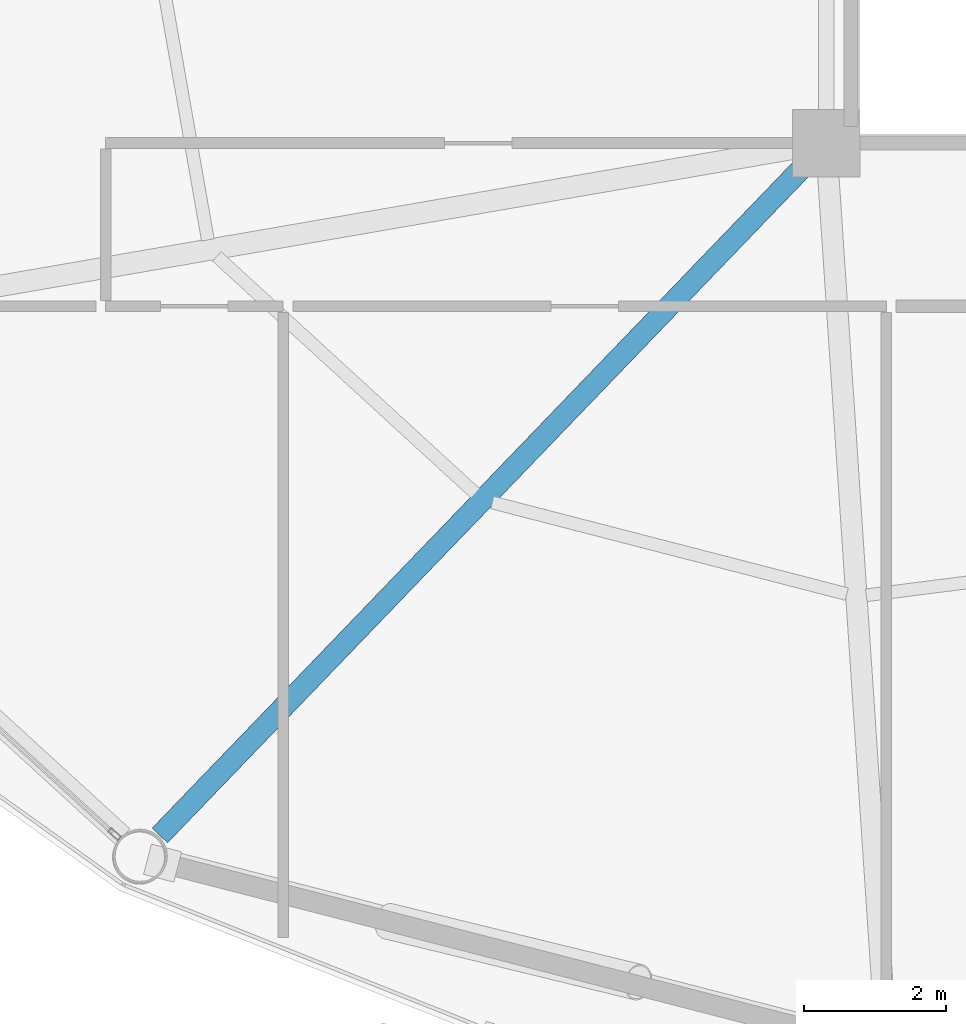
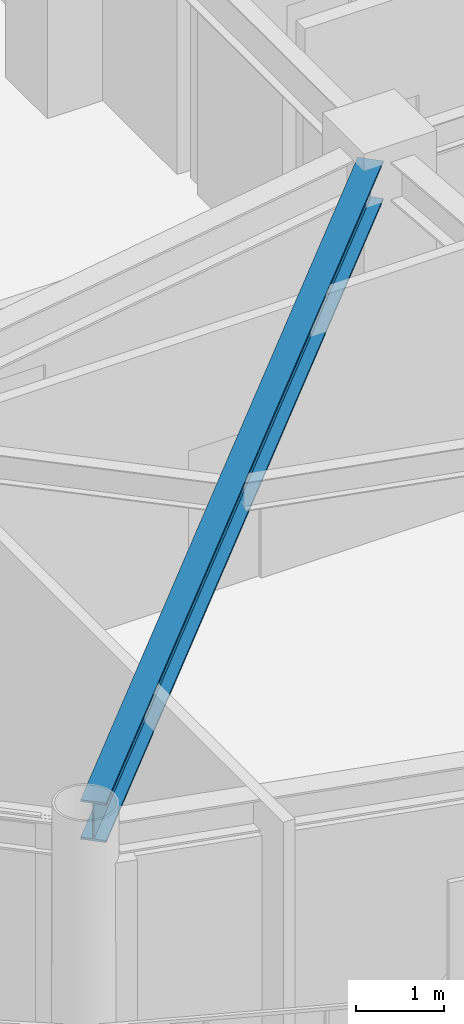
# One storey, part 3 of 25: 1 beam.
"""IFC4 building model written with IfcOpenShell, lengths in metres."""

from ifc_helpers import new_model, si_unit, direction, frame, origin, origin_2d, place, context, subcontext, project, spatial, i_section, extrude, material, material_profile, profile_set, type_object, element, save


model = new_model("IFC4")

# Units and contexts
model_context = context("Model", 3, precision=1e-05, world=origin(), true_north=direction((0.0, 1.0)))
body_context = subcontext(model_context, "Body", "Model", "MODEL_VIEW")
ifc_project = project(units=[si_unit("LENGTHUNIT", "METRE"), si_unit("AREAUNIT", "SQUARE_METRE"), si_unit("VOLUMEUNIT", "CUBIC_METRE"), si_unit("PLANEANGLEUNIT", "RADIAN"), si_unit("MASSUNIT", "GRAM", prefix="KILO")], contexts=[model_context])

# Site, building, storey
site_placement = place(None, origin())
site = spatial("IfcSite", under=ifc_project, at=site_placement, CompositionType="ELEMENT")
building_placement = place(site_placement, origin())
building = spatial("IfcBuilding", under=site, at=building_placement, Name="Varnakorn Sky Granary", CompositionType="ELEMENT")
storey_placement = place(building_placement, frame((0.0, 0.0, 126.60009765625)))
storey = spatial("IfcBuildingStorey", under=building, at=storey_placement, Name="L31", CompositionType="ELEMENT", Elevation=126.60009765625)

# Beam
ifc_material = material(Name="Steel S355JR", Category="steel")
ifc_material_profile = material_profile(ifc_material, i_section(OverallWidth=0.300048828125, OverallDepth=0.550048828125, WebThickness=0.014892578125, FlangeThickness=0.029052734375, at=origin_2d()), Name="HE 550 B")
ifc_profile_set = profile_set([ifc_material_profile], Name="Steel S355JR")
beam_type = type_object("IfcBeamType", Name="BM-RAD-Z3", PredefinedType="BEAM", material=ifc_profile_set)
beam_placement = place(storey_placement, frame((-2.64111328125, -6.902587890625, 3.364990234375), z_axis=(-0.693353389316, -0.720597722397, 0.0), x_axis=(0.720597722397, -0.693353389316, 0.0)))
element("IfcBeam", 1, at=beam_placement, inside=storey, type_object=beam_type, Name="Radial Floor Girder RG09 L31", PredefinedType="BEAM", context=body_context, shape_type="SweptSolid", body=[
    extrude(i_section(OverallWidth=0.300048828125, OverallDepth=0.550048828125, WebThickness=0.014892578125, FlangeThickness=0.029052734375, at=origin_2d()), origin(), (0.0, 0.0, 1.0), 13.119140625),
])

save(model, "model.ifc")
